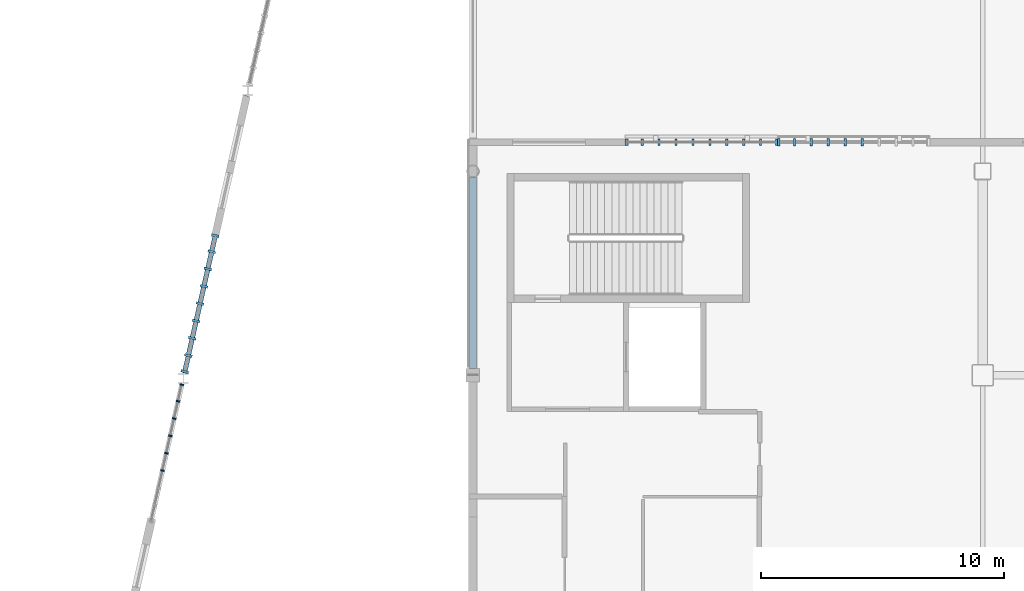
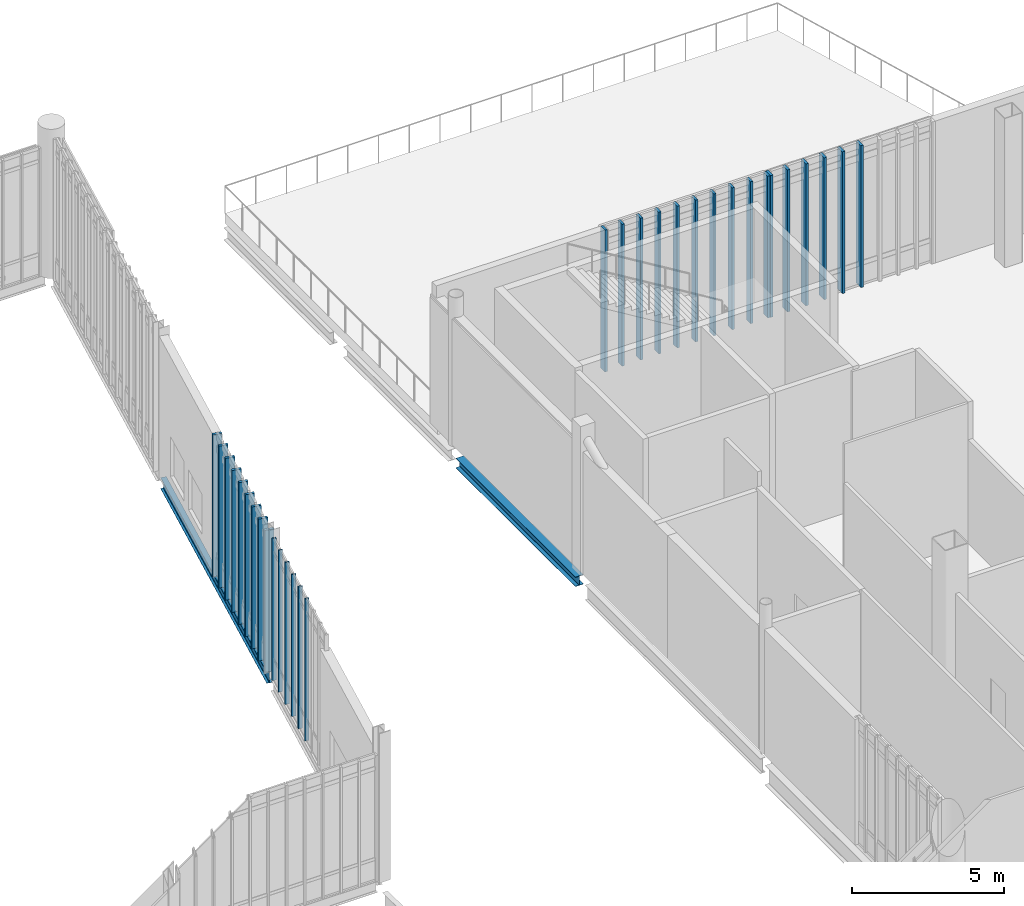
# One storey, part 34 of 135: 31 members, 2 beams, 4 elements without a shape of their own.
"""IFC4 building model written with IfcOpenShell, lengths in metres."""

from ifc_helpers import new_model, si_unit, direction, frame, origin, origin_2d, place, context, subcontext, project, spatial, rectangle, i_section, extrude, material, material_profile, profile_set, type_object, element, aggregate, save


model = new_model("IFC4")

# Units and contexts
model_context = context("Model", 3, precision=1e-05, world=origin(), true_north=direction((0.0, 1.0)))
body_context = subcontext(model_context, "Body", "Model", "MODEL_VIEW")
ifc_project = project(units=[si_unit("LENGTHUNIT", "METRE"), si_unit("AREAUNIT", "SQUARE_METRE"), si_unit("VOLUMEUNIT", "CUBIC_METRE"), si_unit("PLANEANGLEUNIT", "RADIAN"), si_unit("MASSUNIT", "GRAM", prefix="KILO")], contexts=[model_context])

# Site, building, storey
site_placement = place(None, origin())
site = spatial("IfcSite", under=ifc_project, at=site_placement, CompositionType="ELEMENT")
building_placement = place(site_placement, origin())
building = spatial("IfcBuilding", under=site, at=building_placement, Name="Larkvane Passage Sports Hall", CompositionType="ELEMENT")
storey_placement = place(building_placement, frame((0.0, 0.0, 10.800048828125)))
storey = spatial("IfcBuildingStorey", under=building, at=storey_placement, Name="L02", CompositionType="ELEMENT", Elevation=10.800048828125)

# Beam
ifc_material_1 = material(Name="Steel S355JR", Category="steel")
ifc_material_profile_1 = material_profile(ifc_material_1, i_section(OverallWidth=0.300048828125, OverallDepth=0.389892578125, WebThickness=0.010009765625, FlangeThickness=0.01611328125, FilletRadius=0.01806640625, at=origin_2d()), Name="H-390x300x10x16")
ifc_profile_set_1 = profile_set([ifc_material_profile_1], Name="Steel S355JR")
beam_type_1 = type_object("IfcBeamType", Name="BM-STL-H390", PredefinedType="BEAM", material=ifc_profile_set_1)
beam_1_placement = place(storey_placement, frame((124.60009765625, 75.875, -0.614990234375), z_axis=(0.0, 1.0, 0.0), x_axis=(-1.0, 0.0, 0.0)))
element("IfcBeam", 1, at=beam_1_placement, inside=storey, type_object=beam_type_1, Name="Girder BM5-Y-L02-17-0782", PredefinedType="BEAM", context=body_context, shape_type="SweptSolid", body=[
    extrude(i_section(OverallWidth=0.300048828125, OverallDepth=0.389892578125, WebThickness=0.010009765625, FlangeThickness=0.01611328125, FilletRadius=0.01806640625, at=origin_2d()), origin(), (0.0, 0.0, 1.0), 7.87109375),
])

# Curtain wall, members
ifc_material_2 = material(Name="Thermally broken aluminium and low-E glazing", Category="aluminium")
curtain_wall_type_1 = type_object("IfcCurtainWallType", Name="CW-CLINIC", PredefinedType="USERDEFINED", material=ifc_material_2)
curtain_wall_1_placement = place(storey_placement, origin())
curtain_wall_1 = element("IfcCurtainWall", 2, at=curtain_wall_1_placement, inside=storey, type_object=curtain_wall_type_1, Name="Curtain wall CW5-L02-067", ObjectType="UNITISED CURTAIN WALL", PredefinedType="USERDEFINED")
ifc_material_3 = material(Name="Anodised aluminium 6063-T6", Category="aluminium")
ifc_material_profile_2 = material_profile(ifc_material_3, rectangle(XDim=0.10009765625, YDim=0.320068359375, at=origin_2d()), Name="ALU-MUL-100x320")
ifc_profile_set_2 = profile_set([ifc_material_profile_2], Name="Anodised aluminium 6063-T6")
member_type_1 = type_object("IfcMemberType", Name="CW-MUL-100x320", PredefinedType="MULLION", material=ifc_profile_set_2)
member_1_placement = place(storey_placement, frame((137.199951171875, 85.199951171875, 0.0), z_axis=(0.0, 0.0, 1.0), x_axis=(1.0, 0.0, 0.0)))
member_1 = element("IfcMember", 3, at=member_1_placement, type_object=member_type_1, Name="CW-05 mullion 1", PredefinedType="MULLION", context=body_context, shape_type="SweptSolid", body=[
    extrude(rectangle(XDim=0.10009765625, YDim=0.320068359375, at=origin_2d()), origin(), (0.0, 0.0, 1.0), 5.699951171875),
])
member_2_placement = place(storey_placement, frame((137.84716796875, 85.199951171875, 0.0), z_axis=(0.0, 0.0, 1.0), x_axis=(1.0, 0.0, 0.0)))
member_2 = element("IfcMember", 4, at=member_2_placement, type_object=member_type_1, Name="CW-05 mullion 2", PredefinedType="MULLION", context=body_context, shape_type="SweptSolid", body=[
    extrude(rectangle(XDim=0.10009765625, YDim=0.320068359375, at=origin_2d()), origin(), (0.0, 0.0, 1.0), 5.699951171875),
])
member_3_placement = place(storey_placement, frame((138.54443359375, 85.199951171875, 0.0), z_axis=(0.0, 0.0, 1.0), x_axis=(1.0, 0.0, 0.0)))
member_3 = element("IfcMember", 5, at=member_3_placement, type_object=member_type_1, Name="CW-05 mullion 3", PredefinedType="MULLION", context=body_context, shape_type="SweptSolid", body=[
    extrude(rectangle(XDim=0.10009765625, YDim=0.320068359375, at=origin_2d()), origin(), (0.0, 0.0, 1.0), 5.699951171875),
])
member_4_placement = place(storey_placement, frame((139.24169921875, 85.199951171875, 0.0), z_axis=(0.0, 0.0, 1.0), x_axis=(1.0, 0.0, 0.0)))
member_4 = element("IfcMember", 6, at=member_4_placement, type_object=member_type_1, Name="CW-05 mullion 4", PredefinedType="MULLION", context=body_context, shape_type="SweptSolid", body=[
    extrude(rectangle(XDim=0.10009765625, YDim=0.320068359375, at=origin_2d()), origin(), (0.0, 0.0, 1.0), 5.699951171875),
])
member_5_placement = place(storey_placement, frame((139.93896484375, 85.199951171875, 0.0), z_axis=(0.0, 0.0, 1.0), x_axis=(1.0, 0.0, 0.0)))
member_5 = element("IfcMember", 7, at=member_5_placement, type_object=member_type_1, Name="CW-05 mullion 5", PredefinedType="MULLION", context=body_context, shape_type="SweptSolid", body=[
    extrude(rectangle(XDim=0.10009765625, YDim=0.320068359375, at=origin_2d()), origin(), (0.0, 0.0, 1.0), 5.699951171875),
])
member_6_placement = place(storey_placement, frame((140.63623046875, 85.199951171875, 0.0), z_axis=(0.0, 0.0, 1.0), x_axis=(1.0, 0.0, 0.0)))
member_6 = element("IfcMember", 8, at=member_6_placement, type_object=member_type_1, Name="CW-05 mullion 6", PredefinedType="MULLION", context=body_context, shape_type="SweptSolid", body=[
    extrude(rectangle(XDim=0.10009765625, YDim=0.320068359375, at=origin_2d()), origin(), (0.0, 0.0, 1.0), 5.699951171875),
])
aggregate(curtain_wall_1, [member_1, member_2, member_3, member_4, member_5, member_6])

curtain_wall_2_placement = place(storey_placement, origin())
curtain_wall_2 = element("IfcCurtainWall", 9, at=curtain_wall_2_placement, inside=storey, type_object=curtain_wall_type_1, Name="Curtain wall CW5-L02-083", ObjectType="UNITISED CURTAIN WALL", PredefinedType="USERDEFINED")
member_7_placement = place(storey_placement, frame((113.989013671875, 81.351318359375, 0.0), z_axis=(0.0, 0.0, 1.0), x_axis=(-0.219244189156, -0.975670018767, 0.0)))
member_7 = element("IfcMember", 10, at=member_7_placement, type_object=member_type_1, Name="CW-05 mullion 1", PredefinedType="MULLION", context=body_context, shape_type="SweptSolid", body=[
    extrude(rectangle(XDim=0.10009765625, YDim=0.320068359375, at=origin_2d()), origin(), (0.0, 0.0, 1.0), 5.699951171875),
])
member_8_placement = place(storey_placement, frame((113.83984375, 80.6875, 0.0), z_axis=(0.0, 0.0, 1.0), x_axis=(-0.219244189156, -0.975670018767, 0.0)))
member_8 = element("IfcMember", 11, at=member_8_placement, type_object=member_type_1, Name="CW-05 mullion 2", PredefinedType="MULLION", context=body_context, shape_type="SweptSolid", body=[
    extrude(rectangle(XDim=0.10009765625, YDim=0.320068359375, at=origin_2d()), origin(), (0.0, 0.0, 1.0), 5.699951171875),
])
member_9_placement = place(storey_placement, frame((113.6796875, 79.974853515625, 0.0), z_axis=(0.0, 0.0, 1.0), x_axis=(-0.219244189156, -0.975670018767, 0.0)))
member_9 = element("IfcMember", 12, at=member_9_placement, type_object=member_type_1, Name="CW-05 mullion 3", PredefinedType="MULLION", context=body_context, shape_type="SweptSolid", body=[
    extrude(rectangle(XDim=0.10009765625, YDim=0.320068359375, at=origin_2d()), origin(), (0.0, 0.0, 1.0), 5.699951171875),
])
member_10_placement = place(storey_placement, frame((113.519775390625, 79.262451171875, 0.0), z_axis=(0.0, 0.0, 1.0), x_axis=(-0.219244189156, -0.975670018767, 0.0)))
member_10 = element("IfcMember", 13, at=member_10_placement, type_object=member_type_1, Name="CW-05 mullion 4", PredefinedType="MULLION", context=body_context, shape_type="SweptSolid", body=[
    extrude(rectangle(XDim=0.10009765625, YDim=0.320068359375, at=origin_2d()), origin(), (0.0, 0.0, 1.0), 5.699951171875),
])
member_11_placement = place(storey_placement, frame((113.359619140625, 78.5498046875, 0.0), z_axis=(0.0, 0.0, 1.0), x_axis=(-0.219244189156, -0.975670018767, 0.0)))
member_11 = element("IfcMember", 14, at=member_11_placement, type_object=member_type_1, Name="CW-05 mullion 5", PredefinedType="MULLION", context=body_context, shape_type="SweptSolid", body=[
    extrude(rectangle(XDim=0.10009765625, YDim=0.320068359375, at=origin_2d()), origin(), (0.0, 0.0, 1.0), 5.699951171875),
])
member_12_placement = place(storey_placement, frame((113.199462890625, 77.83740234375, 0.0), z_axis=(0.0, 0.0, 1.0), x_axis=(-0.219244189156, -0.975670018767, 0.0)))
member_12 = element("IfcMember", 15, at=member_12_placement, type_object=member_type_1, Name="CW-05 mullion 6", PredefinedType="MULLION", context=body_context, shape_type="SweptSolid", body=[
    extrude(rectangle(XDim=0.10009765625, YDim=0.320068359375, at=origin_2d()), origin(), (0.0, 0.0, 1.0), 5.699951171875),
])
member_13_placement = place(storey_placement, frame((113.039306640625, 77.124755859375, 0.0), z_axis=(0.0, 0.0, 1.0), x_axis=(-0.219244189156, -0.975670018767, 0.0)))
member_13 = element("IfcMember", 16, at=member_13_placement, type_object=member_type_1, Name="CW-05 mullion 7", PredefinedType="MULLION", context=body_context, shape_type="SweptSolid", body=[
    extrude(rectangle(XDim=0.10009765625, YDim=0.320068359375, at=origin_2d()), origin(), (0.0, 0.0, 1.0), 5.699951171875),
])
member_14_placement = place(storey_placement, frame((112.879150390625, 76.412353515625, 0.0), z_axis=(0.0, 0.0, 1.0), x_axis=(-0.219244189156, -0.975670018767, 0.0)))
member_14 = element("IfcMember", 17, at=member_14_placement, type_object=member_type_1, Name="CW-05 mullion 8", PredefinedType="MULLION", context=body_context, shape_type="SweptSolid", body=[
    extrude(rectangle(XDim=0.10009765625, YDim=0.320068359375, at=origin_2d()), origin(), (0.0, 0.0, 1.0), 5.699951171875),
])
member_15_placement = place(storey_placement, frame((112.72998046875, 75.74853515625, 0.0), z_axis=(0.0, 0.0, 1.0), x_axis=(-0.219244189156, -0.975670018767, 0.0)))
member_15 = element("IfcMember", 18, at=member_15_placement, type_object=member_type_1, Name="CW-05 mullion 9", PredefinedType="MULLION", context=body_context, shape_type="SweptSolid", body=[
    extrude(rectangle(XDim=0.10009765625, YDim=0.320068359375, at=origin_2d()), origin(), (0.0, 0.0, 1.0), 5.699951171875),
])
aggregate(curtain_wall_2, [member_7, member_8, member_9, member_10, member_11, member_12, member_13, member_14, member_15])

curtain_wall_type_2 = type_object("IfcCurtainWallType", Name="CW-UNIT-COURT", PredefinedType="USERDEFINED", material=ifc_material_2)
curtain_wall_3_placement = place(storey_placement, origin())
curtain_wall_3 = element("IfcCurtainWall", 19, at=curtain_wall_3_placement, inside=storey, type_object=curtain_wall_type_2, Name="Curtain wall CW5-L02-084", ObjectType="UNITISED CURTAIN WALL", PredefinedType="USERDEFINED")
ifc_material_profile_3 = material_profile(ifc_material_3, rectangle(XDim=0.06005859375, YDim=0.14990234375, at=origin_2d()), Name="ALU-MUL-60x150")
ifc_profile_set_3 = profile_set([ifc_material_profile_3], Name="Anodised aluminium 6063-T6")
member_type_2 = type_object("IfcMemberType", Name="CW-MUL-60x150", PredefinedType="MULLION", material=ifc_profile_set_3)
member_16_placement = place(storey_placement, frame((112.609375, 75.2119140625, 0.0), z_axis=(0.0, 0.0, 1.0), x_axis=(-0.219243647747, -0.975670140428, 0.0)))
member_16 = element("IfcMember", 20, at=member_16_placement, type_object=member_type_2, Name="CW-01 mullion 1", PredefinedType="MULLION", context=body_context, shape_type="SweptSolid", body=[
    extrude(rectangle(XDim=0.06005859375, YDim=0.14990234375, at=origin_2d()), origin(), (0.0, 0.0, 1.0), 5.699951171875),
])
member_17_placement = place(storey_placement, frame((112.455810546875, 74.528076171875, 0.0), z_axis=(0.0, 0.0, 1.0), x_axis=(-0.219243647747, -0.975670140428, 0.0)))
member_17 = element("IfcMember", 21, at=member_17_placement, type_object=member_type_2, Name="CW-01 mullion 2", PredefinedType="MULLION", context=body_context, shape_type="SweptSolid", body=[
    extrude(rectangle(XDim=0.06005859375, YDim=0.14990234375, at=origin_2d()), origin(), (0.0, 0.0, 1.0), 5.699951171875),
])
member_18_placement = place(storey_placement, frame((112.29541015625, 73.814697265625, 0.0), z_axis=(0.0, 0.0, 1.0), x_axis=(-0.219243647747, -0.975670140428, 0.0)))
member_18 = element("IfcMember", 22, at=member_18_placement, type_object=member_type_2, Name="CW-01 mullion 3", PredefinedType="MULLION", context=body_context, shape_type="SweptSolid", body=[
    extrude(rectangle(XDim=0.06005859375, YDim=0.14990234375, at=origin_2d()), origin(), (0.0, 0.0, 1.0), 5.699951171875),
])
member_19_placement = place(storey_placement, frame((112.13525390625, 73.1015625, 0.0), z_axis=(0.0, 0.0, 1.0), x_axis=(-0.219243647747, -0.975670140428, 0.0)))
member_19 = element("IfcMember", 23, at=member_19_placement, type_object=member_type_2, Name="CW-01 mullion 4", PredefinedType="MULLION", context=body_context, shape_type="SweptSolid", body=[
    extrude(rectangle(XDim=0.06005859375, YDim=0.14990234375, at=origin_2d()), origin(), (0.0, 0.0, 1.0), 5.699951171875),
])
member_20_placement = place(storey_placement, frame((111.974853515625, 72.38818359375, 0.0), z_axis=(0.0, 0.0, 1.0), x_axis=(-0.219243647747, -0.975670140428, 0.0)))
member_20 = element("IfcMember", 24, at=member_20_placement, type_object=member_type_2, Name="CW-01 mullion 5", PredefinedType="MULLION", context=body_context, shape_type="SweptSolid", body=[
    extrude(rectangle(XDim=0.06005859375, YDim=0.14990234375, at=origin_2d()), origin(), (0.0, 0.0, 1.0), 5.699951171875),
])
member_21_placement = place(storey_placement, frame((111.814697265625, 71.675048828125, 0.0), z_axis=(0.0, 0.0, 1.0), x_axis=(-0.219243647747, -0.975670140428, 0.0)))
member_21 = element("IfcMember", 25, at=member_21_placement, type_object=member_type_2, Name="CW-01 mullion 6", PredefinedType="MULLION", context=body_context, shape_type="SweptSolid", body=[
    extrude(rectangle(XDim=0.06005859375, YDim=0.14990234375, at=origin_2d()), origin(), (0.0, 0.0, 1.0), 5.699951171875),
])
aggregate(curtain_wall_3, [member_16, member_17, member_18, member_19, member_20, member_21])

curtain_wall_type_3 = type_object("IfcCurtainWallType", Name="CW-STICK-FOYER", PredefinedType="USERDEFINED", material=ifc_material_2)
curtain_wall_4_placement = place(storey_placement, origin())
curtain_wall_4 = element("IfcCurtainWall", 26, at=curtain_wall_4_placement, inside=storey, type_object=curtain_wall_type_3, Name="Curtain wall CW5-L02-066", ObjectType="STICK CURTAIN WALL", PredefinedType="USERDEFINED")
ifc_material_profile_4 = material_profile(ifc_material_3, rectangle(XDim=0.090087890625, YDim=0.280029296875, at=origin_2d()), Name="ALU-MUL-90x280")
ifc_profile_set_4 = profile_set([ifc_material_profile_4], Name="Anodised aluminium 6063-T6")
member_type_3 = type_object("IfcMemberType", Name="CW-MUL-90x280", PredefinedType="MULLION", material=ifc_profile_set_4)
member_22_placement = place(storey_placement, frame((130.919921875, 85.199951171875, 0.0), z_axis=(0.0, 0.0, 1.0), x_axis=(1.0, 0.0, 0.0)))
member_22 = element("IfcMember", 27, at=member_22_placement, type_object=member_type_3, Name="CW-03 mullion 1", PredefinedType="MULLION", context=body_context, shape_type="SweptSolid", body=[
    extrude(rectangle(XDim=0.090087890625, YDim=0.280029296875, at=origin_2d()), origin(), (0.0, 0.0, 1.0), 5.699951171875),
])
member_23_placement = place(storey_placement, frame((131.572265625, 85.199951171875, 0.0), z_axis=(0.0, 0.0, 1.0), x_axis=(1.0, 0.0, 0.0)))
member_23 = element("IfcMember", 28, at=member_23_placement, type_object=member_type_3, Name="CW-03 mullion 2", PredefinedType="MULLION", context=body_context, shape_type="SweptSolid", body=[
    extrude(rectangle(XDim=0.090087890625, YDim=0.280029296875, at=origin_2d()), origin(), (0.0, 0.0, 1.0), 5.699951171875),
])
member_24_placement = place(storey_placement, frame((132.26953125, 85.199951171875, 0.0), z_axis=(0.0, 0.0, 1.0), x_axis=(1.0, 0.0, 0.0)))
member_24 = element("IfcMember", 29, at=member_24_placement, type_object=member_type_3, Name="CW-03 mullion 3", PredefinedType="MULLION", context=body_context, shape_type="SweptSolid", body=[
    extrude(rectangle(XDim=0.090087890625, YDim=0.280029296875, at=origin_2d()), origin(), (0.0, 0.0, 1.0), 5.699951171875),
])
member_25_placement = place(storey_placement, frame((132.966552734375, 85.199951171875, 0.0), z_axis=(0.0, 0.0, 1.0), x_axis=(1.0, 0.0, 0.0)))
member_25 = element("IfcMember", 30, at=member_25_placement, type_object=member_type_3, Name="CW-03 mullion 4", PredefinedType="MULLION", context=body_context, shape_type="SweptSolid", body=[
    extrude(rectangle(XDim=0.090087890625, YDim=0.280029296875, at=origin_2d()), origin(), (0.0, 0.0, 1.0), 5.699951171875),
])
member_26_placement = place(storey_placement, frame((133.663818359375, 85.199951171875, 0.0), z_axis=(0.0, 0.0, 1.0), x_axis=(1.0, 0.0, 0.0)))
member_26 = element("IfcMember", 31, at=member_26_placement, type_object=member_type_3, Name="CW-03 mullion 5", PredefinedType="MULLION", context=body_context, shape_type="SweptSolid", body=[
    extrude(rectangle(XDim=0.090087890625, YDim=0.280029296875, at=origin_2d()), origin(), (0.0, 0.0, 1.0), 5.699951171875),
])
member_27_placement = place(storey_placement, frame((134.361083984375, 85.199951171875, 0.0), z_axis=(0.0, 0.0, 1.0), x_axis=(1.0, 0.0, 0.0)))
member_27 = element("IfcMember", 32, at=member_27_placement, type_object=member_type_3, Name="CW-03 mullion 6", PredefinedType="MULLION", context=body_context, shape_type="SweptSolid", body=[
    extrude(rectangle(XDim=0.090087890625, YDim=0.280029296875, at=origin_2d()), origin(), (0.0, 0.0, 1.0), 5.699951171875),
])
member_28_placement = place(storey_placement, frame((135.058349609375, 85.199951171875, 0.0), z_axis=(0.0, 0.0, 1.0), x_axis=(1.0, 0.0, 0.0)))
member_28 = element("IfcMember", 33, at=member_28_placement, type_object=member_type_3, Name="CW-03 mullion 7", PredefinedType="MULLION", context=body_context, shape_type="SweptSolid", body=[
    extrude(rectangle(XDim=0.090087890625, YDim=0.280029296875, at=origin_2d()), origin(), (0.0, 0.0, 1.0), 5.699951171875),
])
member_29_placement = place(storey_placement, frame((135.755615234375, 85.199951171875, 0.0), z_axis=(0.0, 0.0, 1.0), x_axis=(1.0, 0.0, 0.0)))
member_29 = element("IfcMember", 34, at=member_29_placement, type_object=member_type_3, Name="CW-03 mullion 8", PredefinedType="MULLION", context=body_context, shape_type="SweptSolid", body=[
    extrude(rectangle(XDim=0.090087890625, YDim=0.280029296875, at=origin_2d()), origin(), (0.0, 0.0, 1.0), 5.699951171875),
])
member_30_placement = place(storey_placement, frame((136.452880859375, 85.199951171875, 0.0), z_axis=(0.0, 0.0, 1.0), x_axis=(1.0, 0.0, 0.0)))
member_30 = element("IfcMember", 35, at=member_30_placement, type_object=member_type_3, Name="CW-03 mullion 9", PredefinedType="MULLION", context=body_context, shape_type="SweptSolid", body=[
    extrude(rectangle(XDim=0.090087890625, YDim=0.280029296875, at=origin_2d()), origin(), (0.0, 0.0, 1.0), 5.699951171875),
])
member_31_placement = place(storey_placement, frame((137.10498046875, 85.199951171875, 0.0), z_axis=(0.0, 0.0, 1.0), x_axis=(1.0, 0.0, 0.0)))
member_31 = element("IfcMember", 36, at=member_31_placement, type_object=member_type_3, Name="CW-03 mullion 10", PredefinedType="MULLION", context=body_context, shape_type="SweptSolid", body=[
    extrude(rectangle(XDim=0.090087890625, YDim=0.280029296875, at=origin_2d()), origin(), (0.0, 0.0, 1.0), 5.699951171875),
])
aggregate(curtain_wall_4, [member_22, member_23, member_24, member_25, member_26, member_27, member_28, member_29, member_30, member_31])

# Beam
ifc_material_profile_5 = material_profile(ifc_material_1, i_section(OverallWidth=0.199951171875, OverallDepth=0.449951171875, WebThickness=0.009033203125, FlangeThickness=0.013916015625, FilletRadius=0.01806640625, at=origin_2d()), Name="H-450x200x9x14")
ifc_profile_set_5 = profile_set([ifc_material_profile_5], Name="Steel S355JR")
beam_type_2 = type_object("IfcBeamType", Name="SP-STL-H450", PredefinedType="SPANDREL", material=ifc_profile_set_5)
beam_2_placement = place(storey_placement, frame((112.719970703125, 75.68994140625, -0.22509765625), z_axis=(0.218741250516, 0.975782898663, 0.0), x_axis=(-0.975782898663, 0.218741250516, 0.0)))
element("IfcBeam", 37, at=beam_2_placement, inside=storey, type_object=beam_type_2, Name="Climbing hall L02 spandrel beam BM5-V3-SP-E2", PredefinedType="SPANDREL", context=body_context, shape_type="SweptSolid", body=[
    extrude(i_section(OverallWidth=0.199951171875, OverallDepth=0.449951171875, WebThickness=0.009033203125, FlangeThickness=0.013916015625, FilletRadius=0.01806640625, at=origin_2d()), origin(), (0.0, 0.0, 1.0), 11.70361328125),
])

save(model, "model.ifc")
